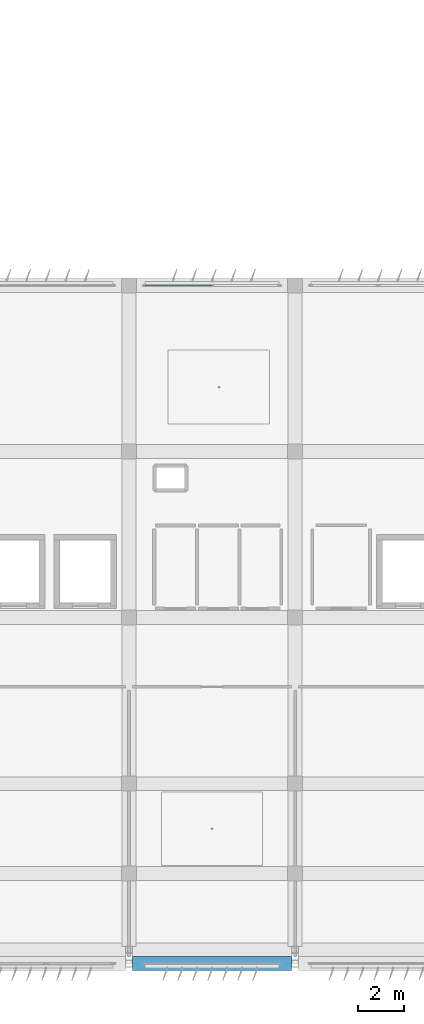
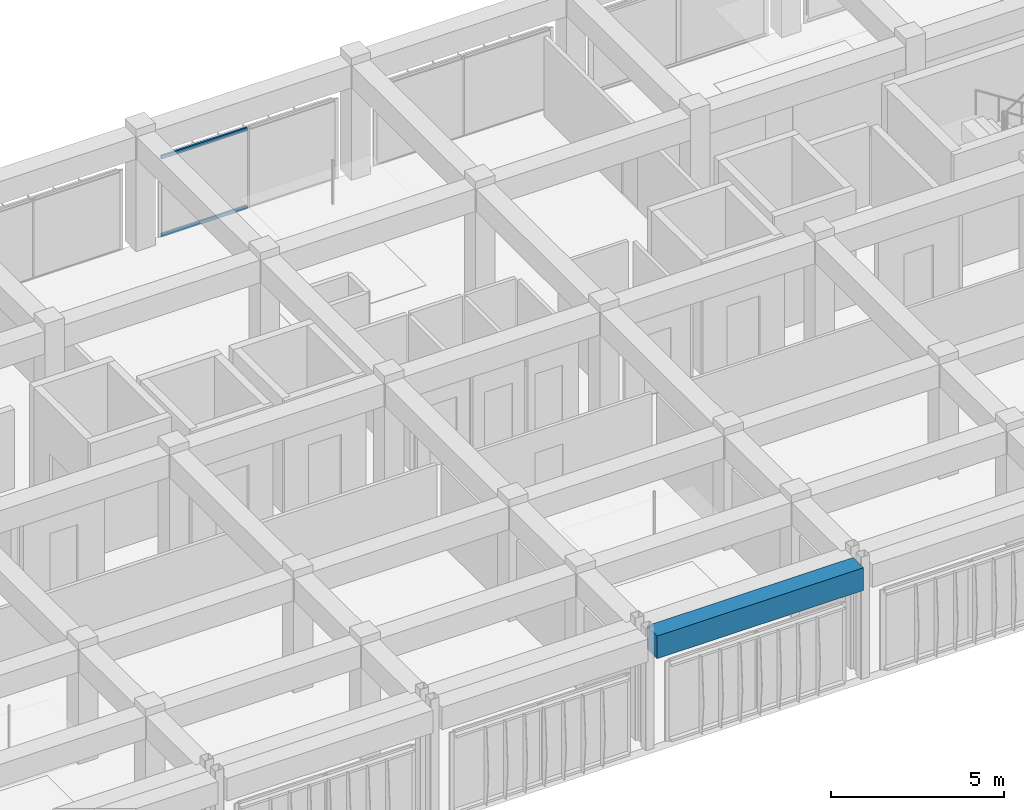
# One storey, part 16 of 53: 2 members, 1 beam, 1 element without a shape of its own.
"""IFC4 building model written with IfcOpenShell, lengths in metres."""

from ifc_helpers import new_model, si_unit, direction, frame, origin, origin_2d, place, context, subcontext, project, spatial, rectangle, hollow_rectangle, extrude, material, material_profile, profile_set, type_object, element, aggregate, save


model = new_model("IFC4")

# Units and contexts
model_context = context("Model", 3, precision=1e-05, world=origin(), true_north=direction((0.0, 1.0)))
body_context = subcontext(model_context, "Body", "Model", "MODEL_VIEW")
ifc_project = project(units=[si_unit("LENGTHUNIT", "METRE"), si_unit("AREAUNIT", "SQUARE_METRE"), si_unit("VOLUMEUNIT", "CUBIC_METRE"), si_unit("PLANEANGLEUNIT", "RADIAN"), si_unit("MASSUNIT", "GRAM", prefix="KILO")], contexts=[model_context])

# Site, building, storey
site_placement = place(None, origin())
site = spatial("IfcSite", under=ifc_project, at=site_placement, CompositionType="ELEMENT")
building_placement = place(site_placement, origin())
building = spatial("IfcBuilding", under=site, at=building_placement, Name="Kazehaya Institute of Natural Sciences", CompositionType="ELEMENT")
storey_placement = place(building_placement, frame((0.0, 0.0, 33.300048828125)))
storey = spatial("IfcBuildingStorey", under=building, at=storey_placement, Name="L07", CompositionType="ELEMENT", Elevation=33.300048828125)

# Beam
ifc_material_1 = material(Name="Concrete Fc36", Category="concrete")
ifc_material_profile_1 = material_profile(ifc_material_1, rectangle(XDim=0.60009765625, YDim=0.800048828125, at=origin_2d()), Name="RC-600x800")
ifc_profile_set_1 = profile_set([ifc_material_profile_1], Name="Concrete Fc36")
beam_type = type_object("IfcBeamType", Name="BM-G-600x800", PredefinedType="BEAM", material=ifc_profile_set_1)
beam_placement = place(storey_placement, frame((83.550048828125, 6.199951171875, 3.64990234375), z_axis=(1.0, 0.0, 0.0), x_axis=(0.0, 1.0, 0.0)))
element("IfcBeam", 1, at=beam_placement, inside=storey, type_object=beam_type, Name="L07 primary X girder BMX-L07-834-62", PredefinedType="BEAM", context=body_context, shape_type="SweptSolid", body=[
    extrude(rectangle(XDim=0.60009765625, YDim=0.800048828125, at=origin_2d()), origin(), (0.0, 0.0, 1.0), 6.89990234375),
])

# Curtain wall, members
ifc_material_2 = material(Name="Aluminium alloy A6063S-T5", Category="aluminium")
curtain_wall_type = type_object("IfcCurtainWallType", Name="CW-SYS-05", PredefinedType="NOTDEFINED", material=ifc_material_2)
curtain_wall_placement = place(storey_placement, origin())
curtain_wall = element("IfcCurtainWall", 2, at=curtain_wall_placement, inside=storey, type_object=curtain_wall_type, Name="L07 unitised curtain wall CW-L07-161", PredefinedType="NOTDEFINED")
ifc_material_profile_2 = material_profile(ifc_material_2, hollow_rectangle(XDim=0.06005859375, YDim=0.1201171875, WallThickness=0.00341796875, at=origin_2d()), Name="ALU-60x120x3.5")
ifc_profile_set_2 = profile_set([ifc_material_profile_2], Name="Aluminium alloy A6063S-T5")
member_type = type_object("IfcMemberType", Name="CWT-120", PredefinedType="USERDEFINED", material=ifc_profile_set_2)
member_1_placement = place(storey_placement, frame((84.10009765625, 35.60009765625, 0.030029296875), z_axis=(1.0, 0.0, 0.0), x_axis=(0.0, 1.0, 0.0)))
member_1 = element("IfcMember", 3, at=member_1_placement, type_object=member_type, Name="CW05 transom 1.1", ObjectType="TRANSOM", PredefinedType="USERDEFINED", context=body_context, shape_type="SweptSolid", body=[
    extrude(hollow_rectangle(XDim=0.06005859375, YDim=0.1201171875, WallThickness=0.00341796875, at=origin_2d()), origin(), (0.0, 0.0, 1.0), 2.869873046875),
])
member_2_placement = place(storey_placement, frame((84.10009765625, 35.60009765625, 2.7900390625), z_axis=(1.0, 0.0, 0.0), x_axis=(0.0, 1.0, 0.0)))
member_2 = element("IfcMember", 4, at=member_2_placement, type_object=member_type, Name="CW05 transom 1.2", ObjectType="TRANSOM", PredefinedType="USERDEFINED", context=body_context, shape_type="SweptSolid", body=[
    extrude(hollow_rectangle(XDim=0.06005859375, YDim=0.1201171875, WallThickness=0.00341796875, at=origin_2d()), origin(), (0.0, 0.0, 1.0), 2.869873046875),
])
aggregate(curtain_wall, [member_1, member_2])

save(model, "model.ifc")
